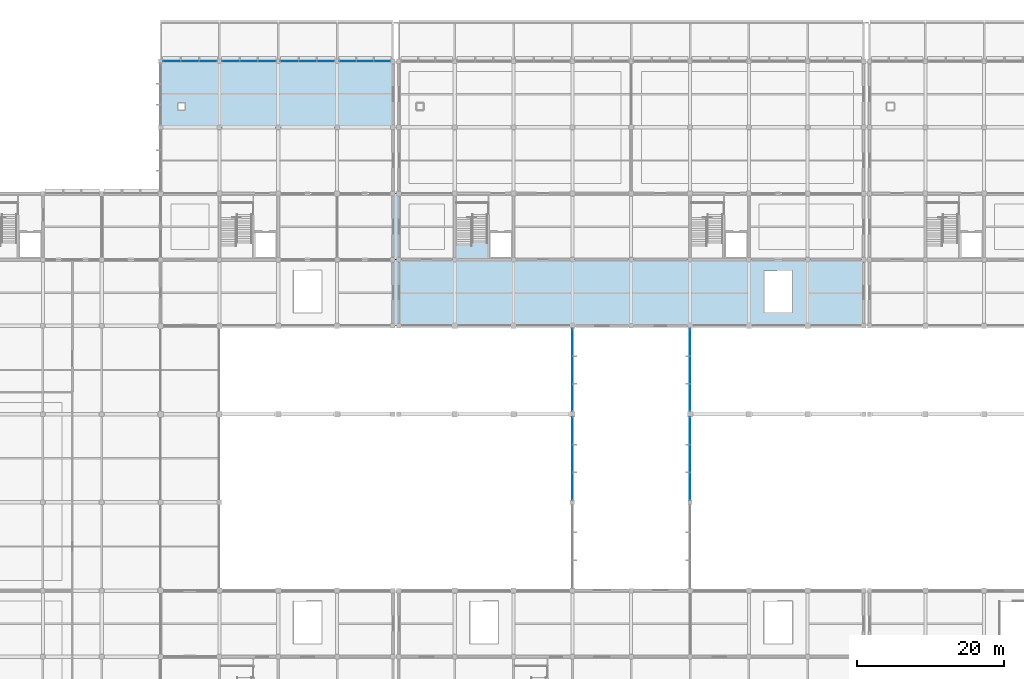
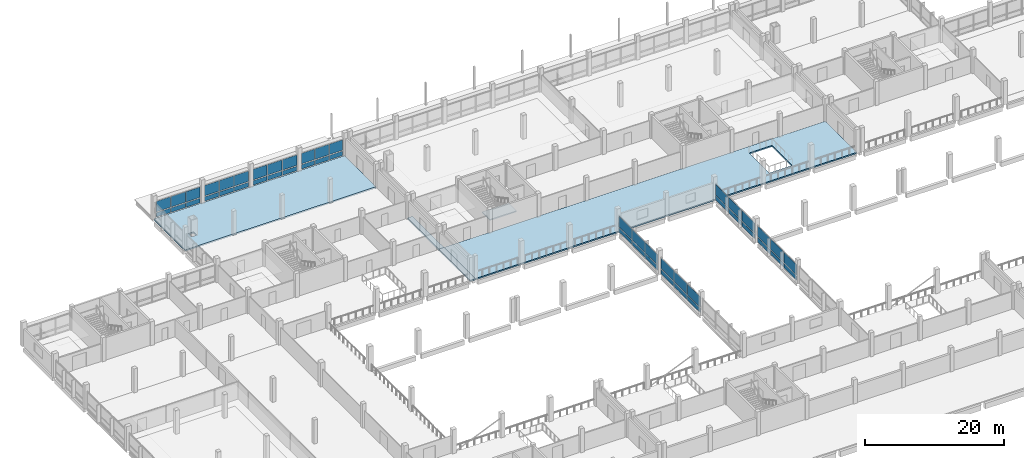
# One storey, part 35 of 57: 48 plates, 5 slabs, 9 elements without a shape of their own.
"""IFC4 building model written with IfcOpenShell, lengths in metres."""

from ifc_helpers import new_model, si_unit, direction, frame, origin, origin_2d, place, context, subcontext, project, spatial, polyline, rectangle, outline, extrude, material, layer, layer_set, type_object, element, aggregate, save


model = new_model("IFC4")

# Units and contexts
model_context = context("Model", 3, precision=1e-05, world=origin(), true_north=direction((0.0, 1.0)))
body_context = subcontext(model_context, "Body", "Model", "MODEL_VIEW")
ifc_project = project(units=[si_unit("LENGTHUNIT", "METRE"), si_unit("AREAUNIT", "SQUARE_METRE"), si_unit("VOLUMEUNIT", "CUBIC_METRE"), si_unit("PLANEANGLEUNIT", "RADIAN"), si_unit("MASSUNIT", "GRAM", prefix="KILO"), si_unit("THERMODYNAMICTEMPERATUREUNIT", "KELVIN"), si_unit("POWERUNIT", "WATT")], contexts=[model_context])

# Site, building, storey
site_placement = place(None, origin())
site = spatial("IfcSite", under=ifc_project, at=site_placement, CompositionType="ELEMENT")
building_placement = place(site_placement, origin())
building = spatial("IfcBuilding", under=site, at=building_placement, Name="Kronsvod Quay Wholesale Market", CompositionType="ELEMENT")
storey_placement = place(building_placement, frame((0.0, 0.0, 4.800048828125)))
storey = spatial("IfcBuildingStorey", under=building, at=storey_placement, Name="L01", CompositionType="ELEMENT", Elevation=4.800048828125)

# Curtain wall, plates
ifc_material_1 = material(Name="Thermally broken aluminium and triple low-E glazing", Category="aluminium")
curtain_wall_type_1 = type_object("IfcCurtainWallType", Name="CW_Harbour76x33", PredefinedType="NOTDEFINED", material=ifc_material_1)
curtain_wall_1_placement = place(storey_placement, origin())
curtain_wall_1 = element("IfcCurtainWall", 1, at=curtain_wall_1_placement, inside=storey, type_object=curtain_wall_type_1, Name="CWGX-L01-560-1260", PredefinedType="NOTDEFINED")
ifc_material_2 = material(Name="Insulated aluminium spandrel panel", Category="aluminium")
ifc_layer_1 = layer(ifc_material_2, 0.048095703125)
ifc_layer_set_1 = layer_set([ifc_layer_1], Name="Insulated aluminium spandrel panel")
plate_type_1 = type_object("IfcPlateType", Name="CWPanel_SP2224x775", PredefinedType="CURTAIN_PANEL", material=ifc_layer_set_1)
plate_1_placement = place(storey_placement, frame((62.117919921875, 126.0, 0.14990234375), z_axis=(0.0, 0.0, 1.0), x_axis=(-1.0, 0.0, 0.0)))
plate_1 = element("IfcPlate", 2, at=plate_1_placement, type_object=plate_type_1, Name="CWGX-L01-560-1260-PS1", PredefinedType="CURTAIN_PANEL", context=body_context, shape_type="SweptSolid", body=[
    extrude(rectangle(XDim=2.22412109375, YDim=0.048095703125, at=origin_2d()), origin(), (0.0, 0.0, 1.0), 0.77490234375),
])
plate_2_placement = place(storey_placement, frame((57.482177734375, 126.0, 0.14990234375), z_axis=(0.0, 0.0, 1.0), x_axis=(-1.0, 0.0, 0.0)))
plate_2 = element("IfcPlate", 3, at=plate_2_placement, type_object=plate_type_1, Name="CWGX-L01-560-1260-PS3", PredefinedType="CURTAIN_PANEL", context=body_context, shape_type="SweptSolid", body=[
    extrude(rectangle(XDim=2.22412109375, YDim=0.048095703125, at=origin_2d()), origin(), (0.0, 0.0, 1.0), 0.77490234375),
])
ifc_material_3 = material(Name="Insulated aluminium spandrel panel", Category="aluminium")
ifc_layer_2 = layer(ifc_material_3, 0.048095703125)
ifc_layer_set_2 = layer_set([ifc_layer_2], Name="Insulated aluminium spandrel panel")
plate_type_2 = type_object("IfcPlateType", Name="CWPanel_SP2262x775", PredefinedType="CURTAIN_PANEL", material=ifc_layer_set_2)
plate_3_placement = place(storey_placement, frame((59.800048828125, 126.0, 0.14990234375), z_axis=(0.0, 0.0, 1.0), x_axis=(-1.0, 0.0, 0.0)))
plate_3 = element("IfcPlate", 4, at=plate_3_placement, type_object=plate_type_2, Name="CWGX-L01-560-1260-PS2", PredefinedType="CURTAIN_PANEL", context=body_context, shape_type="SweptSolid", body=[
    extrude(rectangle(XDim=2.261962890625, YDim=0.048095703125, at=origin_2d()), origin(), (0.0, 0.0, 1.0), 0.77490234375),
])

# Curtain wall, plate
ifc_material_4 = material(Name="Thermally broken aluminium and triple low-E glazing", Category="aluminium")
curtain_wall_type_2 = type_object("IfcCurtainWallType", Name="CW_Harbour80x33", PredefinedType="NOTDEFINED", material=ifc_material_4)
curtain_wall_2_placement = place(storey_placement, origin())
curtain_wall_2 = element("IfcCurtainWall", 5, at=curtain_wall_2_placement, inside=storey, type_object=curtain_wall_type_2, Name="CWGX-L01-320-1260", PredefinedType="NOTDEFINED")
ifc_material_5 = material(Name="Insulated aluminium spandrel panel", Category="aluminium")
ifc_layer_3 = layer(ifc_material_5, 0.048095703125)
ifc_layer_set_3 = layer_set([ifc_layer_3], Name="Insulated aluminium spandrel panel")
plate_type_3 = type_object("IfcPlateType", Name="CWPanel_SP2357x775", PredefinedType="CURTAIN_PANEL", material=ifc_layer_set_3)
plate_4_placement = place(storey_placement, frame((38.451171875, 126.0, 0.14990234375), z_axis=(0.0, 0.0, 1.0), x_axis=(-1.0, 0.0, 0.0)))
plate_4 = element("IfcPlate", 6, at=plate_4_placement, type_object=plate_type_3, Name="CWGX-L01-320-1260-PS1", PredefinedType="CURTAIN_PANEL", context=body_context, shape_type="SweptSolid", body=[
    extrude(rectangle(XDim=2.35693359375, YDim=0.048095703125, at=origin_2d()), origin(), (0.0, 0.0, 1.0), 0.77490234375),
])

curtain_wall_3_placement = place(storey_placement, origin())
curtain_wall_3 = element("IfcCurtainWall", 7, at=curtain_wall_3_placement, inside=storey, type_object=curtain_wall_type_2, Name="CWGX-L01-400-1260", PredefinedType="NOTDEFINED")
plate_5_placement = place(storey_placement, frame((46.451171875, 126.0, 0.14990234375), z_axis=(0.0, 0.0, 1.0), x_axis=(-1.0, 0.0, 0.0)))
plate_5 = element("IfcPlate", 8, at=plate_5_placement, type_object=plate_type_3, Name="CWGX-L01-400-1260-PS1", PredefinedType="CURTAIN_PANEL", context=body_context, shape_type="SweptSolid", body=[
    extrude(rectangle(XDim=2.35693359375, YDim=0.048095703125, at=origin_2d()), origin(), (0.0, 0.0, 1.0), 0.77490234375),
])

curtain_wall_4_placement = place(storey_placement, origin())
curtain_wall_4 = element("IfcCurtainWall", 9, at=curtain_wall_4_placement, inside=storey, type_object=curtain_wall_type_2, Name="CWGX-L01-480-1260", PredefinedType="NOTDEFINED")
plate_6_placement = place(storey_placement, frame((54.451171875, 126.0, 0.14990234375), z_axis=(0.0, 0.0, 1.0), x_axis=(-1.0, 0.0, 0.0)))
plate_6 = element("IfcPlate", 10, at=plate_6_placement, type_object=plate_type_3, Name="CWGX-L01-480-1260-PS1", PredefinedType="CURTAIN_PANEL", context=body_context, shape_type="SweptSolid", body=[
    extrude(rectangle(XDim=2.35693359375, YDim=0.048095703125, at=origin_2d()), origin(), (0.0, 0.0, 1.0), 0.77490234375),
])

# Plate
ifc_material_6 = material(Name="Insulated aluminium spandrel panel", Category="aluminium")
ifc_layer_4 = layer(ifc_material_6, 0.048095703125)
ifc_layer_set_4 = layer_set([ifc_layer_4], Name="Insulated aluminium spandrel panel")
plate_type_4 = type_object("IfcPlateType", Name="CWPanel_SP2358x775", PredefinedType="CURTAIN_PANEL", material=ifc_layer_set_4)
plate_7_placement = place(storey_placement, frame((33.548828125, 126.0, 0.14990234375), z_axis=(0.0, 0.0, 1.0), x_axis=(-1.0, 0.0, 0.0)))
plate_7 = element("IfcPlate", 11, at=plate_7_placement, type_object=plate_type_4, Name="CWGX-L01-320-1260-PS3", PredefinedType="CURTAIN_PANEL", context=body_context, shape_type="SweptSolid", body=[
    extrude(rectangle(XDim=2.35791015625, YDim=0.048095703125, at=origin_2d()), origin(), (0.0, 0.0, 1.0), 0.77490234375),
])

plate_8_placement = place(storey_placement, frame((41.548828125, 126.0, 0.14990234375), z_axis=(0.0, 0.0, 1.0), x_axis=(-1.0, 0.0, 0.0)))
plate_8 = element("IfcPlate", 12, at=plate_8_placement, type_object=plate_type_4, Name="CWGX-L01-400-1260-PS3", PredefinedType="CURTAIN_PANEL", context=body_context, shape_type="SweptSolid", body=[
    extrude(rectangle(XDim=2.35791015625, YDim=0.048095703125, at=origin_2d()), origin(), (0.0, 0.0, 1.0), 0.77490234375),
])

plate_9_placement = place(storey_placement, frame((49.548828125, 126.0, 0.14990234375), z_axis=(0.0, 0.0, 1.0), x_axis=(-1.0, 0.0, 0.0)))
plate_9 = element("IfcPlate", 13, at=plate_9_placement, type_object=plate_type_4, Name="CWGX-L01-480-1260-PS3", PredefinedType="CURTAIN_PANEL", context=body_context, shape_type="SweptSolid", body=[
    extrude(rectangle(XDim=2.35791015625, YDim=0.048095703125, at=origin_2d()), origin(), (0.0, 0.0, 1.0), 0.77490234375),
])

ifc_material_7 = material(Name="Insulated aluminium spandrel panel", Category="aluminium")
ifc_layer_5 = layer(ifc_material_7, 0.048095703125)
ifc_layer_set_5 = layer_set([ifc_layer_5], Name="Insulated aluminium spandrel panel")
plate_type_5 = type_object("IfcPlateType", Name="CWPanel_SP2395x775", PredefinedType="CURTAIN_PANEL", material=ifc_layer_set_5)
plate_10_placement = place(storey_placement, frame((36.0, 126.0, 0.14990234375), z_axis=(0.0, 0.0, 1.0), x_axis=(-1.0, 0.0, 0.0)))
plate_10 = element("IfcPlate", 14, at=plate_10_placement, type_object=plate_type_5, Name="CWGX-L01-320-1260-PS2", PredefinedType="CURTAIN_PANEL", context=body_context, shape_type="SweptSolid", body=[
    extrude(rectangle(XDim=2.39501953125, YDim=0.048095703125, at=origin_2d()), origin(), (0.0, 0.0, 1.0), 0.77490234375),
])

plate_11_placement = place(storey_placement, frame((44.0, 126.0, 0.14990234375), z_axis=(0.0, 0.0, 1.0), x_axis=(-1.0, 0.0, 0.0)))
plate_11 = element("IfcPlate", 15, at=plate_11_placement, type_object=plate_type_5, Name="CWGX-L01-400-1260-PS2", PredefinedType="CURTAIN_PANEL", context=body_context, shape_type="SweptSolid", body=[
    extrude(rectangle(XDim=2.39501953125, YDim=0.048095703125, at=origin_2d()), origin(), (0.0, 0.0, 1.0), 0.77490234375),
])

plate_12_placement = place(storey_placement, frame((52.0, 126.0, 0.14990234375), z_axis=(0.0, 0.0, 1.0), x_axis=(-1.0, 0.0, 0.0)))
plate_12 = element("IfcPlate", 16, at=plate_12_placement, type_object=plate_type_5, Name="CWGX-L01-480-1260-PS2", PredefinedType="CURTAIN_PANEL", context=body_context, shape_type="SweptSolid", body=[
    extrude(rectangle(XDim=2.39501953125, YDim=0.048095703125, at=origin_2d()), origin(), (0.0, 0.0, 1.0), 0.77490234375),
])

# Curtain wall, plates
ifc_material_8 = material(Name="Thermally broken aluminium and triple low-E glazing", Category="aluminium")
curtain_wall_type_3 = type_object("IfcCurtainWallType", Name="CW_Court120x35", PredefinedType="NOTDEFINED", material=ifc_material_8)
curtain_wall_5_placement = place(storey_placement, origin())
curtain_wall_5 = element("IfcCurtainWall", 17, at=curtain_wall_5_placement, inside=storey, type_object=curtain_wall_type_3, Name="CWGY-L01-880-780", PredefinedType="NOTDEFINED")
ifc_material_9 = material(Name="Insulated aluminium spandrel panel", Category="aluminium")
ifc_layer_6 = layer(ifc_material_9, 0.048095703125)
ifc_layer_set_6 = layer_set([ifc_layer_6], Name="Insulated aluminium spandrel panel")
plate_type_6 = type_object("IfcPlateType", Name="CWPanel_SP3649x775", PredefinedType="CURTAIN_PANEL", material=ifc_layer_set_6)
plate_13_placement = place(storey_placement, frame((88.0, 80.26953125, 0.14990234375), z_axis=(0.0, 0.0, 1.0), x_axis=(0.0, 1.0, 0.0)))
plate_13 = element("IfcPlate", 18, at=plate_13_placement, type_object=plate_type_6, Name="CWGY-L01-880-780-PS1", PredefinedType="CURTAIN_PANEL", context=body_context, shape_type="SweptSolid", body=[
    extrude(rectangle(XDim=3.64892578125, YDim=0.048095703125, at=origin_2d()), origin(), (0.0, 0.0, 1.0), 0.77490234375),
])
plate_14_placement = place(storey_placement, frame((88.0, 87.75537109375, 0.14990234375), z_axis=(0.0, 0.0, 1.0), x_axis=(0.0, 1.0, 0.0)))
plate_14 = element("IfcPlate", 19, at=plate_14_placement, type_object=plate_type_6, Name="CWGY-L01-880-780-PS3", PredefinedType="CURTAIN_PANEL", context=body_context, shape_type="SweptSolid", body=[
    extrude(rectangle(XDim=3.64892578125, YDim=0.048095703125, at=origin_2d()), origin(), (0.0, 0.0, 1.0), 0.77490234375),
])

curtain_wall_6_placement = place(storey_placement, origin())
curtain_wall_6 = element("IfcCurtainWall", 20, at=curtain_wall_6_placement, inside=storey, type_object=curtain_wall_type_3, Name="CWGY-L01-1040-780", PredefinedType="NOTDEFINED")
plate_15_placement = place(storey_placement, frame((104.0, 87.75537109375, 0.14990234375), z_axis=(0.0, 0.0, 1.0), x_axis=(0.0, -1.0, 0.0)))
plate_15 = element("IfcPlate", 21, at=plate_15_placement, type_object=plate_type_6, Name="CWGY-L01-1040-780-PS1", PredefinedType="CURTAIN_PANEL", context=body_context, shape_type="SweptSolid", body=[
    extrude(rectangle(XDim=3.64892578125, YDim=0.048095703125, at=origin_2d()), origin(), (0.0, 0.0, 1.0), 0.77490234375),
])
plate_16_placement = place(storey_placement, frame((104.0, 80.26953125, 0.14990234375), z_axis=(0.0, 0.0, 1.0), x_axis=(0.0, -1.0, 0.0)))
plate_16 = element("IfcPlate", 22, at=plate_16_placement, type_object=plate_type_6, Name="CWGY-L01-1040-780-PS3", PredefinedType="CURTAIN_PANEL", context=body_context, shape_type="SweptSolid", body=[
    extrude(rectangle(XDim=3.64892578125, YDim=0.048095703125, at=origin_2d()), origin(), (0.0, 0.0, 1.0), 0.77490234375),
])

curtain_wall_7_placement = place(storey_placement, origin())
curtain_wall_7 = element("IfcCurtainWall", 23, at=curtain_wall_7_placement, inside=storey, type_object=curtain_wall_type_3, Name="CWGY-L01-880-660", PredefinedType="NOTDEFINED")
ifc_material_10 = material(Name="Insulated aluminium spandrel panel", Category="aluminium")
ifc_layer_7 = layer(ifc_material_10, 0.048095703125)
ifc_layer_set_7 = layer_set([ifc_layer_7], Name="Insulated aluminium spandrel panel")
plate_type_7 = type_object("IfcPlateType", Name="CWPanel_SP3666x775", PredefinedType="CURTAIN_PANEL", material=ifc_layer_set_7)
plate_17_placement = place(storey_placement, frame((88.0, 68.202880859375, 0.14990234375), z_axis=(0.0, 0.0, 1.0), x_axis=(0.0, 1.0, 0.0)))
plate_17 = element("IfcPlate", 24, at=plate_17_placement, type_object=plate_type_7, Name="CWGY-L01-880-660-PS1", PredefinedType="CURTAIN_PANEL", context=body_context, shape_type="SweptSolid", body=[
    extrude(rectangle(XDim=3.666015625, YDim=0.048095703125, at=origin_2d()), origin(), (0.0, 0.0, 1.0), 0.77490234375),
])
plate_18_placement = place(storey_placement, frame((88.0, 75.72216796875, 0.14990234375), z_axis=(0.0, 0.0, 1.0), x_axis=(0.0, 1.0, 0.0)))
plate_18 = element("IfcPlate", 25, at=plate_18_placement, type_object=plate_type_7, Name="CWGY-L01-880-660-PS3", PredefinedType="CURTAIN_PANEL", context=body_context, shape_type="SweptSolid", body=[
    extrude(rectangle(XDim=3.666015625, YDim=0.048095703125, at=origin_2d()), origin(), (0.0, 0.0, 1.0), 0.77490234375),
])

curtain_wall_8_placement = place(storey_placement, origin())
curtain_wall_8 = element("IfcCurtainWall", 26, at=curtain_wall_8_placement, inside=storey, type_object=curtain_wall_type_3, Name="CWGY-L01-1040-660", PredefinedType="NOTDEFINED")
plate_19_placement = place(storey_placement, frame((104.0, 75.72216796875, 0.14990234375), z_axis=(0.0, 0.0, 1.0), x_axis=(0.0, -1.0, 0.0)))
plate_19 = element("IfcPlate", 27, at=plate_19_placement, type_object=plate_type_7, Name="CWGY-L01-1040-660-PS1", PredefinedType="CURTAIN_PANEL", context=body_context, shape_type="SweptSolid", body=[
    extrude(rectangle(XDim=3.666015625, YDim=0.048095703125, at=origin_2d()), origin(), (0.0, 0.0, 1.0), 0.77490234375),
])
plate_20_placement = place(storey_placement, frame((104.0, 68.202880859375, 0.14990234375), z_axis=(0.0, 0.0, 1.0), x_axis=(0.0, -1.0, 0.0)))
plate_20 = element("IfcPlate", 28, at=plate_20_placement, type_object=plate_type_7, Name="CWGY-L01-1040-660-PS3", PredefinedType="CURTAIN_PANEL", context=body_context, shape_type="SweptSolid", body=[
    extrude(rectangle(XDim=3.666015625, YDim=0.048095703125, at=origin_2d()), origin(), (0.0, 0.0, 1.0), 0.77490234375),
])

# Plate
ifc_material_11 = material(Name="Insulated aluminium spandrel panel", Category="aluminium")
ifc_layer_8 = layer(ifc_material_11, 0.048095703125)
ifc_layer_set_8 = layer_set([ifc_layer_8], Name="Insulated aluminium spandrel panel")
plate_type_8 = type_object("IfcPlateType", Name="CWPanel_SP3687x775", PredefinedType="CURTAIN_PANEL", material=ifc_layer_set_8)
plate_21_placement = place(storey_placement, frame((88.0, 84.012451171875, 0.14990234375), z_axis=(0.0, 0.0, 1.0), x_axis=(0.0, 1.0, 0.0)))
plate_21 = element("IfcPlate", 29, at=plate_21_placement, type_object=plate_type_8, Name="CWGY-L01-880-780-PS2", PredefinedType="CURTAIN_PANEL", context=body_context, shape_type="SweptSolid", body=[
    extrude(rectangle(XDim=3.68701171875, YDim=0.048095703125, at=origin_2d()), origin(), (0.0, 0.0, 1.0), 0.77490234375),
])

plate_22_placement = place(storey_placement, frame((104.0, 84.012451171875, 0.14990234375), z_axis=(0.0, 0.0, 1.0), x_axis=(0.0, -1.0, 0.0)))
plate_22 = element("IfcPlate", 30, at=plate_22_placement, type_object=plate_type_8, Name="CWGY-L01-1040-780-PS2", PredefinedType="CURTAIN_PANEL", context=body_context, shape_type="SweptSolid", body=[
    extrude(rectangle(XDim=3.68701171875, YDim=0.048095703125, at=origin_2d()), origin(), (0.0, 0.0, 1.0), 0.77490234375),
])

ifc_material_12 = material(Name="Insulated aluminium spandrel panel", Category="aluminium")
ifc_layer_9 = layer(ifc_material_12, 0.048095703125)
ifc_layer_set_9 = layer_set([ifc_layer_9], Name="Insulated aluminium spandrel panel")
plate_type_9 = type_object("IfcPlateType", Name="CWPanel_SP3703x775", PredefinedType="CURTAIN_PANEL", material=ifc_layer_set_9)
plate_23_placement = place(storey_placement, frame((88.0, 71.96240234375, 0.14990234375), z_axis=(0.0, 0.0, 1.0), x_axis=(0.0, 1.0, 0.0)))
plate_23 = element("IfcPlate", 31, at=plate_23_placement, type_object=plate_type_9, Name="CWGY-L01-880-660-PS2", PredefinedType="CURTAIN_PANEL", context=body_context, shape_type="SweptSolid", body=[
    extrude(rectangle(XDim=3.702880859375, YDim=0.048095703125, at=origin_2d()), origin(), (0.0, 0.0, 1.0), 0.77490234375),
])

plate_24_placement = place(storey_placement, frame((104.0, 71.96240234375, 0.14990234375), z_axis=(0.0, 0.0, 1.0), x_axis=(0.0, -1.0, 0.0)))
plate_24 = element("IfcPlate", 32, at=plate_24_placement, type_object=plate_type_9, Name="CWGY-L01-1040-660-PS2", PredefinedType="CURTAIN_PANEL", context=body_context, shape_type="SweptSolid", body=[
    extrude(rectangle(XDim=3.702880859375, YDim=0.048095703125, at=origin_2d()), origin(), (0.0, 0.0, 1.0), 0.77490234375),
])

ifc_material_13 = material(Name="Triple low-E insulated glazing", Category="glass")
ifc_layer_10 = layer(ifc_material_13, 0.0439453125)
ifc_layer_set_10 = layer_set([ifc_layer_10], Name="Triple low-E insulated glazing")
plate_type_10 = type_object("IfcPlateType", Name="CWPanel_VS2224x1825", PredefinedType="CURTAIN_PANEL", material=ifc_layer_set_10)
plate_25_placement = place(storey_placement, frame((62.117919921875, 126.0, 1.0751953125), z_axis=(0.0, 0.0, 1.0), x_axis=(-1.0, 0.0, 0.0)))
plate_25 = element("IfcPlate", 33, at=plate_25_placement, type_object=plate_type_10, Name="CWGX-L01-560-1260-PV1", PredefinedType="CURTAIN_PANEL", context=body_context, shape_type="SweptSolid", body=[
    extrude(rectangle(XDim=2.22412109375, YDim=0.0439453125, at=origin_2d()), origin(), (0.0, 0.0, 1.0), 1.824951171875),
])

plate_26_placement = place(storey_placement, frame((57.482177734375, 126.0, 1.0751953125), z_axis=(0.0, 0.0, 1.0), x_axis=(-1.0, 0.0, 0.0)))
plate_26 = element("IfcPlate", 34, at=plate_26_placement, type_object=plate_type_10, Name="CWGX-L01-560-1260-PV3", PredefinedType="CURTAIN_PANEL", context=body_context, shape_type="SweptSolid", body=[
    extrude(rectangle(XDim=2.22412109375, YDim=0.0439453125, at=origin_2d()), origin(), (0.0, 0.0, 1.0), 1.824951171875),
])

ifc_material_14 = material(Name="Triple low-E insulated glazing", Category="glass")
ifc_layer_11 = layer(ifc_material_14, 0.0439453125)
ifc_layer_set_11 = layer_set([ifc_layer_11], Name="Triple low-E insulated glazing")
plate_type_11 = type_object("IfcPlateType", Name="CWPanel_VS2262x1825", PredefinedType="CURTAIN_PANEL", material=ifc_layer_set_11)
plate_27_placement = place(storey_placement, frame((59.800048828125, 126.0, 1.0751953125), z_axis=(0.0, 0.0, 1.0), x_axis=(-1.0, 0.0, 0.0)))
plate_27 = element("IfcPlate", 35, at=plate_27_placement, type_object=plate_type_11, Name="CWGX-L01-560-1260-PV2", PredefinedType="CURTAIN_PANEL", context=body_context, shape_type="SweptSolid", body=[
    extrude(rectangle(XDim=2.261962890625, YDim=0.0439453125, at=origin_2d()), origin(), (0.0, 0.0, 1.0), 1.824951171875),
])

aggregate(curtain_wall_1, [plate_1, plate_25, plate_3, plate_27, plate_2, plate_26])

ifc_material_15 = material(Name="Triple low-E insulated glazing", Category="glass")
ifc_layer_12 = layer(ifc_material_15, 0.0439453125)
ifc_layer_set_12 = layer_set([ifc_layer_12], Name="Triple low-E insulated glazing")
plate_type_12 = type_object("IfcPlateType", Name="CWPanel_VS2357x1825", PredefinedType="CURTAIN_PANEL", material=ifc_layer_set_12)
plate_28_placement = place(storey_placement, frame((38.451171875, 126.0, 1.0751953125), z_axis=(0.0, 0.0, 1.0), x_axis=(-1.0, 0.0, 0.0)))
plate_28 = element("IfcPlate", 36, at=plate_28_placement, type_object=plate_type_12, Name="CWGX-L01-320-1260-PV1", PredefinedType="CURTAIN_PANEL", context=body_context, shape_type="SweptSolid", body=[
    extrude(rectangle(XDim=2.35693359375, YDim=0.0439453125, at=origin_2d()), origin(), (0.0, 0.0, 1.0), 1.824951171875),
])

plate_29_placement = place(storey_placement, frame((46.451171875, 126.0, 1.0751953125), z_axis=(0.0, 0.0, 1.0), x_axis=(-1.0, 0.0, 0.0)))
plate_29 = element("IfcPlate", 37, at=plate_29_placement, type_object=plate_type_12, Name="CWGX-L01-400-1260-PV1", PredefinedType="CURTAIN_PANEL", context=body_context, shape_type="SweptSolid", body=[
    extrude(rectangle(XDim=2.35693359375, YDim=0.0439453125, at=origin_2d()), origin(), (0.0, 0.0, 1.0), 1.824951171875),
])

plate_30_placement = place(storey_placement, frame((54.451171875, 126.0, 1.0751953125), z_axis=(0.0, 0.0, 1.0), x_axis=(-1.0, 0.0, 0.0)))
plate_30 = element("IfcPlate", 38, at=plate_30_placement, type_object=plate_type_12, Name="CWGX-L01-480-1260-PV1", PredefinedType="CURTAIN_PANEL", context=body_context, shape_type="SweptSolid", body=[
    extrude(rectangle(XDim=2.35693359375, YDim=0.0439453125, at=origin_2d()), origin(), (0.0, 0.0, 1.0), 1.824951171875),
])

ifc_material_16 = material(Name="Triple low-E insulated glazing", Category="glass")
ifc_layer_13 = layer(ifc_material_16, 0.0439453125)
ifc_layer_set_13 = layer_set([ifc_layer_13], Name="Triple low-E insulated glazing")
plate_type_13 = type_object("IfcPlateType", Name="CWPanel_VS2358x1825", PredefinedType="CURTAIN_PANEL", material=ifc_layer_set_13)
plate_31_placement = place(storey_placement, frame((33.548828125, 126.0, 1.0751953125), z_axis=(0.0, 0.0, 1.0), x_axis=(-1.0, 0.0, 0.0)))
plate_31 = element("IfcPlate", 39, at=plate_31_placement, type_object=plate_type_13, Name="CWGX-L01-320-1260-PV3", PredefinedType="CURTAIN_PANEL", context=body_context, shape_type="SweptSolid", body=[
    extrude(rectangle(XDim=2.35791015625, YDim=0.0439453125, at=origin_2d()), origin(), (0.0, 0.0, 1.0), 1.824951171875),
])

plate_32_placement = place(storey_placement, frame((41.548828125, 126.0, 1.0751953125), z_axis=(0.0, 0.0, 1.0), x_axis=(-1.0, 0.0, 0.0)))
plate_32 = element("IfcPlate", 40, at=plate_32_placement, type_object=plate_type_13, Name="CWGX-L01-400-1260-PV3", PredefinedType="CURTAIN_PANEL", context=body_context, shape_type="SweptSolid", body=[
    extrude(rectangle(XDim=2.35791015625, YDim=0.0439453125, at=origin_2d()), origin(), (0.0, 0.0, 1.0), 1.824951171875),
])

plate_33_placement = place(storey_placement, frame((49.548828125, 126.0, 1.0751953125), z_axis=(0.0, 0.0, 1.0), x_axis=(-1.0, 0.0, 0.0)))
plate_33 = element("IfcPlate", 41, at=plate_33_placement, type_object=plate_type_13, Name="CWGX-L01-480-1260-PV3", PredefinedType="CURTAIN_PANEL", context=body_context, shape_type="SweptSolid", body=[
    extrude(rectangle(XDim=2.35791015625, YDim=0.0439453125, at=origin_2d()), origin(), (0.0, 0.0, 1.0), 1.824951171875),
])

ifc_material_17 = material(Name="Triple low-E insulated glazing", Category="glass")
ifc_layer_14 = layer(ifc_material_17, 0.0439453125)
ifc_layer_set_14 = layer_set([ifc_layer_14], Name="Triple low-E insulated glazing")
plate_type_14 = type_object("IfcPlateType", Name="CWPanel_VS2395x1825", PredefinedType="CURTAIN_PANEL", material=ifc_layer_set_14)
plate_34_placement = place(storey_placement, frame((36.0, 126.0, 1.0751953125), z_axis=(0.0, 0.0, 1.0), x_axis=(-1.0, 0.0, 0.0)))
plate_34 = element("IfcPlate", 42, at=plate_34_placement, type_object=plate_type_14, Name="CWGX-L01-320-1260-PV2", PredefinedType="CURTAIN_PANEL", context=body_context, shape_type="SweptSolid", body=[
    extrude(rectangle(XDim=2.39501953125, YDim=0.0439453125, at=origin_2d()), origin(), (0.0, 0.0, 1.0), 1.824951171875),
])

aggregate(curtain_wall_2, [plate_4, plate_28, plate_10, plate_34, plate_7, plate_31])

plate_35_placement = place(storey_placement, frame((44.0, 126.0, 1.0751953125), z_axis=(0.0, 0.0, 1.0), x_axis=(-1.0, 0.0, 0.0)))
plate_35 = element("IfcPlate", 43, at=plate_35_placement, type_object=plate_type_14, Name="CWGX-L01-400-1260-PV2", PredefinedType="CURTAIN_PANEL", context=body_context, shape_type="SweptSolid", body=[
    extrude(rectangle(XDim=2.39501953125, YDim=0.0439453125, at=origin_2d()), origin(), (0.0, 0.0, 1.0), 1.824951171875),
])

aggregate(curtain_wall_3, [plate_5, plate_29, plate_11, plate_35, plate_8, plate_32])

plate_36_placement = place(storey_placement, frame((52.0, 126.0, 1.0751953125), z_axis=(0.0, 0.0, 1.0), x_axis=(-1.0, 0.0, 0.0)))
plate_36 = element("IfcPlate", 44, at=plate_36_placement, type_object=plate_type_14, Name="CWGX-L01-480-1260-PV2", PredefinedType="CURTAIN_PANEL", context=body_context, shape_type="SweptSolid", body=[
    extrude(rectangle(XDim=2.39501953125, YDim=0.0439453125, at=origin_2d()), origin(), (0.0, 0.0, 1.0), 1.824951171875),
])

aggregate(curtain_wall_4, [plate_6, plate_30, plate_12, plate_36, plate_9, plate_33])

ifc_material_18 = material(Name="Triple low-E insulated glazing", Category="glass")
ifc_layer_15 = layer(ifc_material_18, 0.0439453125)
ifc_layer_set_15 = layer_set([ifc_layer_15], Name="Triple low-E insulated glazing")
plate_type_15 = type_object("IfcPlateType", Name="CWPanel_VS3649x1825", PredefinedType="CURTAIN_PANEL", material=ifc_layer_set_15)
plate_37_placement = place(storey_placement, frame((88.0, 80.26953125, 1.0751953125), z_axis=(0.0, 0.0, 1.0), x_axis=(0.0, 1.0, 0.0)))
plate_37 = element("IfcPlate", 45, at=plate_37_placement, type_object=plate_type_15, Name="CWGY-L01-880-780-PV1", PredefinedType="CURTAIN_PANEL", context=body_context, shape_type="SweptSolid", body=[
    extrude(rectangle(XDim=3.64892578125, YDim=0.0439453125, at=origin_2d()), origin(), (0.0, 0.0, 1.0), 1.824951171875),
])

plate_38_placement = place(storey_placement, frame((88.0, 87.75537109375, 1.0751953125), z_axis=(0.0, 0.0, 1.0), x_axis=(0.0, 1.0, 0.0)))
plate_38 = element("IfcPlate", 46, at=plate_38_placement, type_object=plate_type_15, Name="CWGY-L01-880-780-PV3", PredefinedType="CURTAIN_PANEL", context=body_context, shape_type="SweptSolid", body=[
    extrude(rectangle(XDim=3.64892578125, YDim=0.0439453125, at=origin_2d()), origin(), (0.0, 0.0, 1.0), 1.824951171875),
])

plate_39_placement = place(storey_placement, frame((104.0, 87.75537109375, 1.0751953125), z_axis=(0.0, 0.0, 1.0), x_axis=(0.0, -1.0, 0.0)))
plate_39 = element("IfcPlate", 47, at=plate_39_placement, type_object=plate_type_15, Name="CWGY-L01-1040-780-PV1", PredefinedType="CURTAIN_PANEL", context=body_context, shape_type="SweptSolid", body=[
    extrude(rectangle(XDim=3.64892578125, YDim=0.0439453125, at=origin_2d()), origin(), (0.0, 0.0, 1.0), 1.824951171875),
])

plate_40_placement = place(storey_placement, frame((104.0, 80.26953125, 1.0751953125), z_axis=(0.0, 0.0, 1.0), x_axis=(0.0, -1.0, 0.0)))
plate_40 = element("IfcPlate", 48, at=plate_40_placement, type_object=plate_type_15, Name="CWGY-L01-1040-780-PV3", PredefinedType="CURTAIN_PANEL", context=body_context, shape_type="SweptSolid", body=[
    extrude(rectangle(XDim=3.64892578125, YDim=0.0439453125, at=origin_2d()), origin(), (0.0, 0.0, 1.0), 1.824951171875),
])

ifc_material_19 = material(Name="Triple low-E insulated glazing", Category="glass")
ifc_layer_16 = layer(ifc_material_19, 0.0439453125)
ifc_layer_set_16 = layer_set([ifc_layer_16], Name="Triple low-E insulated glazing")
plate_type_16 = type_object("IfcPlateType", Name="CWPanel_VS3666x1825", PredefinedType="CURTAIN_PANEL", material=ifc_layer_set_16)
plate_41_placement = place(storey_placement, frame((88.0, 68.202880859375, 1.0751953125), z_axis=(0.0, 0.0, 1.0), x_axis=(0.0, 1.0, 0.0)))
plate_41 = element("IfcPlate", 49, at=plate_41_placement, type_object=plate_type_16, Name="CWGY-L01-880-660-PV1", PredefinedType="CURTAIN_PANEL", context=body_context, shape_type="SweptSolid", body=[
    extrude(rectangle(XDim=3.666015625, YDim=0.0439453125, at=origin_2d()), origin(), (0.0, 0.0, 1.0), 1.824951171875),
])

plate_42_placement = place(storey_placement, frame((88.0, 75.72216796875, 1.0751953125), z_axis=(0.0, 0.0, 1.0), x_axis=(0.0, 1.0, 0.0)))
plate_42 = element("IfcPlate", 50, at=plate_42_placement, type_object=plate_type_16, Name="CWGY-L01-880-660-PV3", PredefinedType="CURTAIN_PANEL", context=body_context, shape_type="SweptSolid", body=[
    extrude(rectangle(XDim=3.666015625, YDim=0.0439453125, at=origin_2d()), origin(), (0.0, 0.0, 1.0), 1.824951171875),
])

plate_43_placement = place(storey_placement, frame((104.0, 75.72216796875, 1.0751953125), z_axis=(0.0, 0.0, 1.0), x_axis=(0.0, -1.0, 0.0)))
plate_43 = element("IfcPlate", 51, at=plate_43_placement, type_object=plate_type_16, Name="CWGY-L01-1040-660-PV1", PredefinedType="CURTAIN_PANEL", context=body_context, shape_type="SweptSolid", body=[
    extrude(rectangle(XDim=3.666015625, YDim=0.0439453125, at=origin_2d()), origin(), (0.0, 0.0, 1.0), 1.824951171875),
])

plate_44_placement = place(storey_placement, frame((104.0, 68.202880859375, 1.0751953125), z_axis=(0.0, 0.0, 1.0), x_axis=(0.0, -1.0, 0.0)))
plate_44 = element("IfcPlate", 52, at=plate_44_placement, type_object=plate_type_16, Name="CWGY-L01-1040-660-PV3", PredefinedType="CURTAIN_PANEL", context=body_context, shape_type="SweptSolid", body=[
    extrude(rectangle(XDim=3.666015625, YDim=0.0439453125, at=origin_2d()), origin(), (0.0, 0.0, 1.0), 1.824951171875),
])

ifc_material_20 = material(Name="Triple low-E insulated glazing", Category="glass")
ifc_layer_17 = layer(ifc_material_20, 0.0439453125)
ifc_layer_set_17 = layer_set([ifc_layer_17], Name="Triple low-E insulated glazing")
plate_type_17 = type_object("IfcPlateType", Name="CWPanel_VS3687x1825", PredefinedType="CURTAIN_PANEL", material=ifc_layer_set_17)
plate_45_placement = place(storey_placement, frame((88.0, 84.012451171875, 1.0751953125), z_axis=(0.0, 0.0, 1.0), x_axis=(0.0, 1.0, 0.0)))
plate_45 = element("IfcPlate", 53, at=plate_45_placement, type_object=plate_type_17, Name="CWGY-L01-880-780-PV2", PredefinedType="CURTAIN_PANEL", context=body_context, shape_type="SweptSolid", body=[
    extrude(rectangle(XDim=3.68701171875, YDim=0.0439453125, at=origin_2d()), origin(), (0.0, 0.0, 1.0), 1.824951171875),
])

aggregate(curtain_wall_5, [plate_13, plate_37, plate_21, plate_45, plate_14, plate_38])

plate_46_placement = place(storey_placement, frame((104.0, 84.012451171875, 1.0751953125), z_axis=(0.0, 0.0, 1.0), x_axis=(0.0, -1.0, 0.0)))
plate_46 = element("IfcPlate", 54, at=plate_46_placement, type_object=plate_type_17, Name="CWGY-L01-1040-780-PV2", PredefinedType="CURTAIN_PANEL", context=body_context, shape_type="SweptSolid", body=[
    extrude(rectangle(XDim=3.68701171875, YDim=0.0439453125, at=origin_2d()), origin(), (0.0, 0.0, 1.0), 1.824951171875),
])

aggregate(curtain_wall_6, [plate_15, plate_39, plate_22, plate_46, plate_16, plate_40])

ifc_material_21 = material(Name="Triple low-E insulated glazing", Category="glass")
ifc_layer_18 = layer(ifc_material_21, 0.0439453125)
ifc_layer_set_18 = layer_set([ifc_layer_18], Name="Triple low-E insulated glazing")
plate_type_18 = type_object("IfcPlateType", Name="CWPanel_VS3703x1825", PredefinedType="CURTAIN_PANEL", material=ifc_layer_set_18)
plate_47_placement = place(storey_placement, frame((88.0, 71.96240234375, 1.0751953125), z_axis=(0.0, 0.0, 1.0), x_axis=(0.0, 1.0, 0.0)))
plate_47 = element("IfcPlate", 55, at=plate_47_placement, type_object=plate_type_18, Name="CWGY-L01-880-660-PV2", PredefinedType="CURTAIN_PANEL", context=body_context, shape_type="SweptSolid", body=[
    extrude(rectangle(XDim=3.702880859375, YDim=0.0439453125, at=origin_2d()), origin(), (0.0, 0.0, 1.0), 1.824951171875),
])

aggregate(curtain_wall_7, [plate_17, plate_41, plate_23, plate_47, plate_18, plate_42])

plate_48_placement = place(storey_placement, frame((104.0, 71.96240234375, 1.0751953125), z_axis=(0.0, 0.0, 1.0), x_axis=(0.0, -1.0, 0.0)))
plate_48 = element("IfcPlate", 56, at=plate_48_placement, type_object=plate_type_18, Name="CWGY-L01-1040-660-PV2", PredefinedType="CURTAIN_PANEL", context=body_context, shape_type="SweptSolid", body=[
    extrude(rectangle(XDim=3.702880859375, YDim=0.0439453125, at=origin_2d()), origin(), (0.0, 0.0, 1.0), 1.824951171875),
])

aggregate(curtain_wall_8, [plate_19, plate_43, plate_24, plate_48, plate_20, plate_44])

# Slabs
ifc_material_22 = material(Name="Concrete C35/45", Category="concrete")
ifc_layer_19 = layer(ifc_material_22, 0.25)
ifc_layer_set_19 = layer_set([ifc_layer_19], Name="Concrete C35/45")
slab_type_1 = type_object("IfcSlabType", Name="Slab_Floor250", PredefinedType="FLOOR", material=ifc_layer_set_19)
slab_1_placement = place(storey_placement, frame((0.0, 0.0, -0.25)))
element("IfcSlab", 57, at=slab_1_placement, inside=storey, type_object=slab_type_1, Name="SLB-L01-067", PredefinedType="FLOOR", context=body_context, shape_type="SweptSolid", body=[
    extrude(outline(polyline([(32.0, 117.0), (63.580078125, 117.0), (63.580078125, 126.0), (32.0, 126.0), (32.0, 117.0)]), holes=[polyline([(34.39990234375, 119.39990234375), (35.300048828125, 119.39990234375), (35.300048828125, 120.300048828125), (34.39990234375, 120.300048828125), (34.39990234375, 119.39990234375)])]), origin(), (0.0, 0.0, 1.0), 0.25),
])
ifc_material_23 = material(Name="Concrete C35/45", Category="concrete")
ifc_layer_20 = layer(ifc_material_23, 0.22998046875)
ifc_layer_set_20 = layer_set([ifc_layer_20], Name="Concrete C35/45")
slab_type_2 = type_object("IfcSlabType", Name="Slab_FloorGallery230", PredefinedType="FLOOR", material=ifc_layer_set_20)
slab_2_placement = place(storey_placement, frame((0.0, 0.0, -0.22998046875)))
element("IfcSlab", 58, at=slab_2_placement, inside=storey, type_object=slab_type_2, Name="SLB-L01-071", PredefinedType="FLOOR", context=body_context, shape_type="SweptSolid", body=[
    extrude(outline(polyline([(64.419921875, 90.0), (127.580078125, 90.0), (127.580078125, 99.0), (64.419921875, 99.0), (64.419921875, 90.0)]), holes=[polyline([(114.10009765625, 91.800048828125), (117.89990234375, 91.800048828125), (117.89990234375, 97.550048828125), (114.10009765625, 97.550048828125), (114.10009765625, 91.800048828125)])]), origin(), (0.0, 0.0, 1.0), 0.22998046875),
])
ifc_material_24 = material(Name="Concrete C35/45", Category="concrete")
ifc_layer_21 = layer(ifc_material_24, 0.2451171875)
ifc_layer_set_21 = layer_set([ifc_layer_21], Name="Concrete C35/45")
slab_type_3 = type_object("IfcSlabType", Name="Slab_JointBridge245", PredefinedType="FLOOR", material=ifc_layer_set_21)
slab_3_placement = place(storey_placement, frame((0.0, 0.0, -0.2451171875)))
element("IfcSlab", 59, at=slab_3_placement, inside=storey, type_object=slab_type_3, Name="SLB-MJ-L01-J1-90", PredefinedType="FLOOR", context=body_context, shape_type="SweptSolid", body=[
    extrude(outline(polyline([(63.580078125, 90.0), (64.419921875, 90.0), (64.419921875, 99.0), (63.580078125, 99.0), (63.580078125, 90.0)])), origin(), (0.0, 0.0, 1.0), 0.2451171875),
])
slab_4_placement = place(storey_placement, frame((0.0, 0.0, -0.2451171875)))
element("IfcSlab", 60, at=slab_4_placement, inside=storey, type_object=slab_type_3, Name="SLB-MJ-L01-J1-99", PredefinedType="FLOOR", context=body_context, shape_type="SweptSolid", body=[
    extrude(outline(polyline([(63.580078125, 99.0), (64.419921875, 99.0), (64.419921875, 108.0), (63.580078125, 108.0), (63.580078125, 99.0)])), origin(), (0.0, 0.0, 1.0), 0.2451171875),
])

# Stair, slab
ifc_material_25 = material(Name="Concrete C35/45", Category="concrete")
stair_type = type_object("IfcStairType", Name="Stair_CoreV5_28R", PredefinedType="HALF_TURN_STAIR", material=ifc_material_25)
stair_placement = place(storey_placement, origin())
stair = element("IfcStair", 61, at=stair_placement, inside=storey, type_object=stair_type, Name="ST08-L01", PredefinedType="HALF_TURN_STAIR")
ifc_material_26 = material(Name="Concrete C35/45", Category="concrete")
ifc_layer_22 = layer(ifc_material_26, 0.179931640625)
ifc_layer_set_22 = layer_set([ifc_layer_22], Name="Concrete C35/45")
slab_type_4 = type_object("IfcSlabType", Name="Slab_StairLanding180", PredefinedType="LANDING", material=ifc_layer_set_22)
slab_5_placement = place(storey_placement, frame((0.0, 0.0, 1.919921875)))
slab_5 = element("IfcSlab", 62, at=slab_5_placement, type_object=slab_type_4, Name="ST08-L01-LND", PredefinedType="LANDING", context=body_context, shape_type="SweptSolid", body=[
    extrude(outline(polyline([(72.1201171875, 99.1201171875), (76.5, 99.1201171875), (76.5, 101.360107421875), (72.1201171875, 101.360107421875), (72.1201171875, 99.1201171875)])), origin(), (0.0, 0.0, 1.0), 0.179931640625),
])
aggregate(stair, [slab_5])

save(model, "model.ifc")
